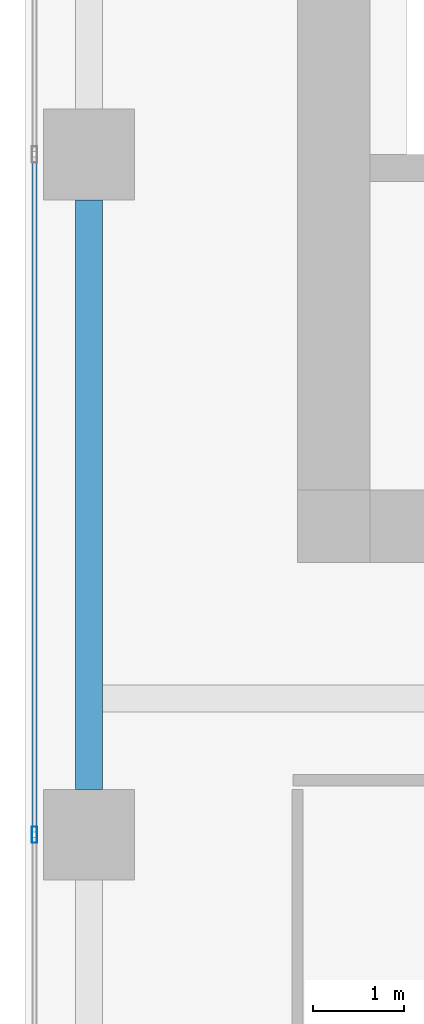
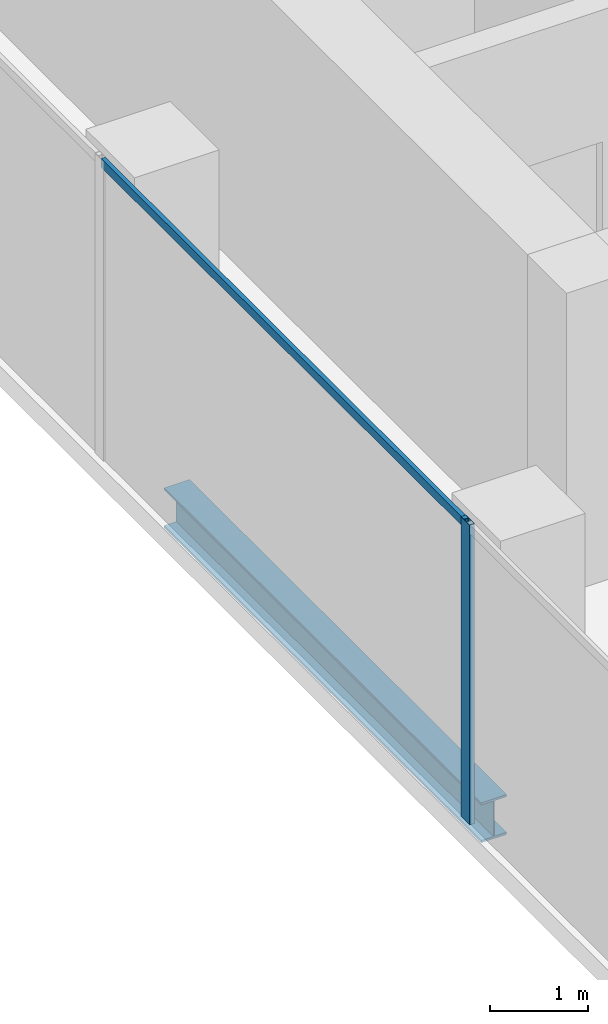
# One storey, part 4 of 40: 2 members, 1 beam, 1 element without a shape of its own.
"""IFC4 building model written with IfcOpenShell, lengths in metres."""

from ifc_helpers import new_model, si_unit, direction, frame, origin, origin_2d, place, context, subcontext, project, spatial, hollow_rectangle, i_section, extrude, source, transform, mapped, material, material_profile, profile_set, type_object, element, aggregate, save


model = new_model("IFC4")

# Units and contexts
model_context = context("Model", 3, precision=1e-05, world=origin(), true_north=direction((0.0, 1.0)))
body_context = subcontext(model_context, "Body", "Model", "MODEL_VIEW")
ifc_project = project(units=[si_unit("LENGTHUNIT", "METRE"), si_unit("AREAUNIT", "SQUARE_METRE"), si_unit("VOLUMEUNIT", "CUBIC_METRE"), si_unit("PLANEANGLEUNIT", "RADIAN"), si_unit("MASSUNIT", "GRAM", prefix="KILO")], contexts=[model_context])

# Site, building, storey
site_placement = place(None, origin())
site = spatial("IfcSite", under=ifc_project, at=site_placement, CompositionType="ELEMENT")
building_placement = place(site_placement, origin())
building = spatial("IfcBuilding", under=site, at=building_placement, Name="Khomas Fold Tower", CompositionType="ELEMENT")
storey_placement = place(building_placement, frame((0.0, 0.0, 192.699951171875)))
storey = spatial("IfcBuildingStorey", under=building, at=storey_placement, Name="L42", CompositionType="ELEMENT", Elevation=192.699951171875)

# Beam
ifc_material_1 = material(Name="Steel S355", Category="steel")
ifc_material_profile_1 = material_profile(ifc_material_1, i_section(OverallWidth=0.300048828125, OverallDepth=0.5, WebThickness=0.014404296875, FlangeThickness=0.028076171875, at=origin_2d()), Name="HE 500 B")
ifc_profile_set_1 = profile_set([ifc_material_profile_1], Name="Steel S355")
beam_type = type_object("IfcBeamType", Name="HE 500 B spandrel SB3", PredefinedType="SPANDREL", material=ifc_profile_set_1)
shared_shape_1 = source(origin(), body_context, "Body", "SweptSolid", [
    extrude(i_section(OverallWidth=0.300048828125, OverallDepth=0.5, WebThickness=0.014404296875, FlangeThickness=0.028076171875, at=origin_2d()), origin(), (0.0, 0.0, 1.0), 6.5),
])
beam_placement = place(storey_placement, frame((3.699951171875, 12.5, -0.5), z_axis=(0.0, 1.0, 0.0), x_axis=(-1.0, 0.0, 0.0)))
element("IfcBeam", 1, at=beam_placement, inside=storey, type_object=beam_type, Name="SB3", PredefinedType="SPANDREL", context=body_context, shape_type="MappedRepresentation", body=[
    mapped(shared_shape_1, transform((0.0, 0.0, 0.0))),
])

# Curtain wall, members
ifc_material_2 = material(Name="Aluminium framed double glazing", Category="aluminium")
curtain_wall_type = type_object("IfcCurtainWallType", Name="SK-Unitised clear-glass wall, office floors CW2", PredefinedType="NOTDEFINED", material=ifc_material_2)
curtain_wall_placement = place(storey_placement, origin())
curtain_wall = element("IfcCurtainWall", 2, at=curtain_wall_placement, inside=storey, type_object=curtain_wall_type, Name="CW2 run L42 09-0", PredefinedType="NOTDEFINED")
ifc_material_3 = material(Name="Aluminium", Category="aluminium")
ifc_material_profile_2 = material_profile(ifc_material_3, hollow_rectangle(XDim=0.06005859375, YDim=0.179931640625, WallThickness=0.00390625, at=origin_2d()), Name="SK-Unitised clear-glass wall, office floors mullion CW2-M")
ifc_profile_set_2 = profile_set([ifc_material_profile_2], Name="Aluminium")
member_type_1 = type_object("IfcMemberType", Name="SK-Unitised clear-glass wall, office floors mullion CW2-M", PredefinedType="MULLION", material=ifc_profile_set_2)
shared_shape_2 = source(origin(), body_context, "Body", "SweptSolid", [
    extrude(hollow_rectangle(XDim=0.06005859375, YDim=0.179931640625, WallThickness=0.00390625, at=origin_2d()), origin(), (0.0, 0.0, 1.0), 3.75),
])
member_1_placement = place(storey_placement, frame((3.10009765625, 12.0, 0.0), z_axis=(0.0, 0.0, 1.0), x_axis=(1.0, 0.0, 0.0)))
member_1 = element("IfcMember", 3, at=member_1_placement, type_object=member_type_1, Name="CW2 mullion 7", PredefinedType="MULLION", context=body_context, shape_type="MappedRepresentation", body=[
    mapped(shared_shape_2, transform((0.0, 0.0, 0.0))),
])
ifc_material_4 = material(Name="Aluminium", Category="aluminium")
ifc_material_profile_3 = material_profile(ifc_material_4, hollow_rectangle(XDim=0.050048828125, YDim=0.110107421875, WallThickness=0.00390625, at=origin_2d()), Name="SK-Unitised clear-glass wall, office floors transom CW2-T")
ifc_profile_set_3 = profile_set([ifc_material_profile_3], Name="Aluminium")
member_type_2 = type_object("IfcMemberType", Name="SK-Unitised clear-glass wall, office floors transom CW2-T", PredefinedType="USERDEFINED", material=ifc_profile_set_3)
shared_shape_3 = source(origin(), body_context, "Body", "SweptSolid", [
    extrude(hollow_rectangle(XDim=0.050048828125, YDim=0.110107421875, WallThickness=0.00390625, at=origin_2d()), origin(), (0.0, 0.0, 1.0), 7.43994140625),
])
member_2_placement = place(storey_placement, frame((3.10009765625, 19.469970703125, 3.695068359375), z_axis=(0.0, -1.0, 0.0), x_axis=(1.0, 0.0, 0.0)))
member_2 = element("IfcMember", 4, at=member_2_placement, type_object=member_type_2, Name="CW2 transom 6", ObjectType="TRANSOM", PredefinedType="USERDEFINED", context=body_context, shape_type="MappedRepresentation", body=[
    mapped(shared_shape_3, transform((0.0, 0.0, 0.0))),
])
aggregate(curtain_wall, [member_1, member_2])

save(model, "model.ifc")
